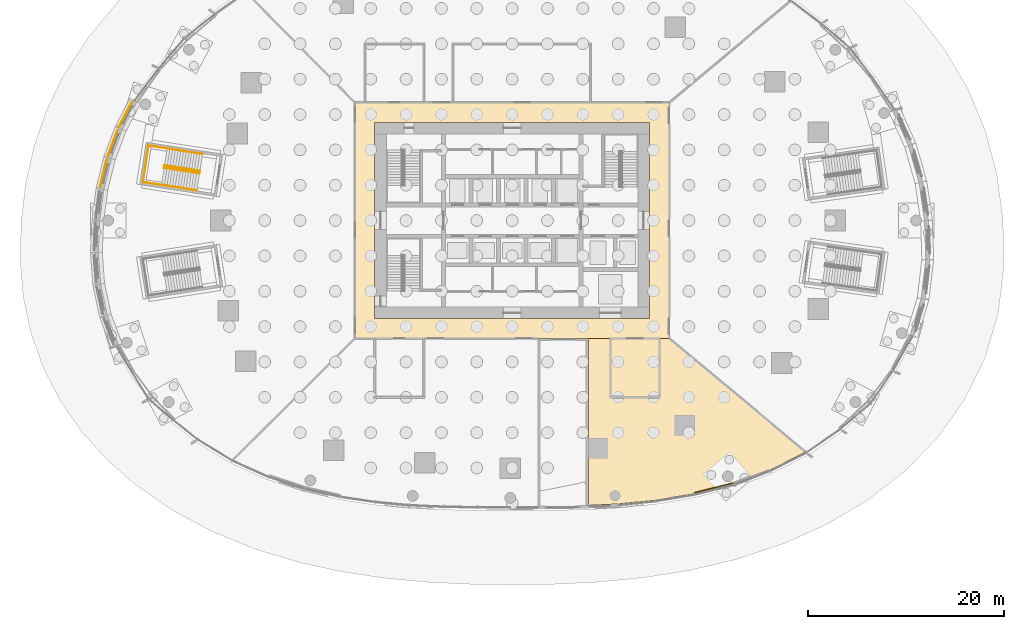
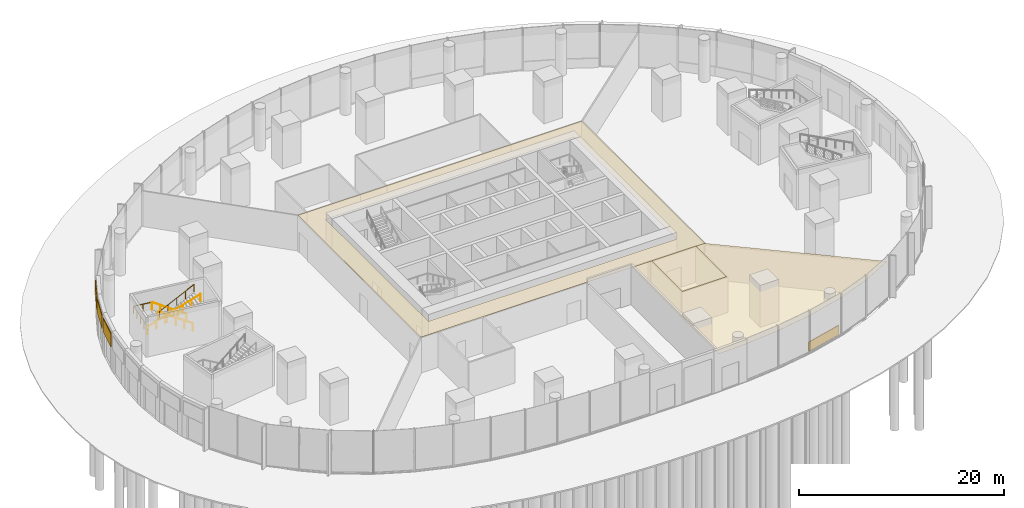
# One storey, part 25 of 29: 7 coverings, 5 railings.
"""IFC4 building model written with IfcOpenShell, lengths in metres."""

from ifc_helpers import new_model, si_unit, direction, frame, origin, origin_2d, place, context, subcontext, project, spatial, polyline, rectangle, circle, outline, extrude, material, layer, layer_set, type_object, element, save


model = new_model("IFC4")

# Units and contexts
model_context = context("Model", 3, precision=1e-05, world=origin(), true_north=direction((0.0, 1.0)))
body_context = subcontext(model_context, "Body", "Model", "MODEL_VIEW")
ifc_project = project(units=[si_unit("LENGTHUNIT", "METRE"), si_unit("AREAUNIT", "SQUARE_METRE"), si_unit("VOLUMEUNIT", "CUBIC_METRE"), si_unit("PLANEANGLEUNIT", "RADIAN"), si_unit("MASSUNIT", "GRAM", prefix="KILO")], contexts=[model_context])

# Site, building, storey
site_placement = place(None, origin())
site = spatial("IfcSite", under=ifc_project, at=site_placement, CompositionType="ELEMENT")
building_placement = place(site_placement, origin())
building = spatial("IfcBuilding", under=site, at=building_placement, Name="Ghaith Harvest Tower", CompositionType="ELEMENT")
storey_placement = place(building_placement, origin())
storey = spatial("IfcBuildingStorey", under=building, at=storey_placement, Name="L00", CompositionType="ELEMENT", Elevation=0.0)

# Coverings
ifc_material_1 = material(Name="Mineral fibre ceiling tile", Category="gypsum")
ifc_layer_1 = layer(ifc_material_1, 0.014892578125)
ifc_layer_set_1 = layer_set([ifc_layer_1], Name="CEILING C3")
covering_type_1 = type_object("IfcCoveringType", Name="CEILING C3", PredefinedType="CEILING", material=ifc_layer_set_1)
covering_1_placement = place(storey_placement, frame((0.0, 0.0, 4.199951171875)))
element("IfcCovering", 1, at=covering_1_placement, inside=storey, type_object=covering_type_1, Name="Ceiling L00-04", PredefinedType="CEILING", context=body_context, shape_type="SweptSolid", body=[
    extrude(outline(polyline([(10.0, -18.0), (15.0, -18.0), (15.0, -12.0), (10.0, -12.0), (10.0, -18.0)])), origin(), (0.0, 0.0, 1.0), 0.01513671875),
])
covering_2_placement = place(storey_placement, frame((0.0, 0.0, 4.199951171875)))
element("IfcCovering", 2, at=covering_2_placement, inside=storey, type_object=covering_type_1, Name="Ceiling L00-C1", PredefinedType="CEILING", context=body_context, shape_type="SweptSolid", body=[
    extrude(outline(polyline([(16.0, -12.0), (-16.0, -12.0), (-16.0, 12.0), (16.0, 12.0), (16.0, -12.0)]), holes=[polyline([(-14.0, 10.0), (-14.0, -10.0), (14.0, -10.0), (14.0, 10.0), (-14.0, 10.0)])]), origin(), (0.0, 0.0, 1.0), 0.01513671875),
])
covering_3_placement = place(storey_placement, frame((0.0, 0.0, 4.199951171875)))
element("IfcCovering", 3, at=covering_3_placement, inside=storey, type_object=covering_type_1, Name="Ceiling L00-S2", PredefinedType="CEILING", context=body_context, shape_type="SweptSolid", body=[
    extrude(outline(polyline([(7.755126953125, -29.00732421875), (7.755126953125, -12.0), (10.0, -12.0), (10.0, -18.0), (15.0, -18.0), (15.0, -12.0), (16.0, -12.0), (29.87744140625, -23.5693359375), (26.25244140625, -25.40869140625), (22.576904296875, -26.77294921875), (18.487060546875, -27.833251953125), (14.54638671875, -28.493408203125), (10.789794921875, -28.862548828125), (7.755126953125, -29.00732421875)])), origin(), (0.0, 0.0, 1.0), 0.01513671875),
])

# Railings
ifc_material_2 = material(Name="Steel, black powder-coated", Category="steel")
railing_type = type_object("IfcRailingType", Name="HANDRAIL HR1", PredefinedType="HANDRAIL", material=ifc_material_2)
railing_1_placement = place(storey_placement, frame((-31.802490234375, 5.04541015625, 0.178466796875)))
element("IfcRailing", 4, at=railing_1_placement, inside=storey, type_object=railing_type, Name="Handrail HR1 stair PS2 L00 flight 1 inner", PredefinedType="HANDRAIL", context=body_context, shape_type="SweptSolid", body=[
    extrude(circle(Radius=0.02392578125, at=origin_2d()), frame((0.0, 0.0, 0.8759765625), z_axis=(-0.833206754544, 0.12887730376, 0.537733339823), x_axis=(-0.152858516466, -0.988248083198, 0.0)), (0.0, 0.0, 1.0), 4.317138671875),
    extrude(circle(Radius=0.02099609375, at=origin_2d()), origin(), (0.0, 0.0, 1.0), 0.851806640625),
    extrude(circle(Radius=0.02099609375, at=origin_2d()), frame((-0.8994140625, 0.13916015625, 0.580322265625)), (0.0, 0.0, 1.0), 0.851806640625),
    extrude(circle(Radius=0.02099609375, at=origin_2d()), frame((-1.798583984375, 0.2783203125, 1.16064453125)), (0.0, 0.0, 1.0), 0.851806640625),
    extrude(circle(Radius=0.02099609375, at=origin_2d()), frame((-2.69775390625, 0.417236328125, 1.7412109375)), (0.0, 0.0, 1.0), 0.851806640625),
    extrude(circle(Radius=0.02099609375, at=origin_2d()), frame((-3.59716796875, 0.556396484375, 2.321533203125)), (0.0, 0.0, 1.0), 0.851806640625),
])
railing_2_placement = place(storey_placement, frame((-35.43798828125, 5.3544921875, 2.678466796875)))
element("IfcRailing", 5, at=railing_2_placement, inside=storey, type_object=railing_type, Name="Handrail HR1 stair PS2 L00 flight 2 inner", PredefinedType="HANDRAIL", context=body_context, shape_type="SweptSolid", body=[
    extrude(circle(Radius=0.02392578125, at=origin_2d()), frame((0.0, 0.0, 0.8759765625), z_axis=(0.833212825692, -0.128821692475, 0.537737258009), x_axis=(0.152793010032, 0.988258213265, 0.0)), (0.0, 0.0, 1.0), 4.317138671875),
    extrude(circle(Radius=0.02099609375, at=origin_2d()), origin(), (0.0, 0.0, 1.0), 0.851806640625),
    extrude(circle(Radius=0.02099609375, at=origin_2d()), frame((0.8994140625, -0.13916015625, 0.580322265625)), (0.0, 0.0, 1.0), 0.851806640625),
    extrude(circle(Radius=0.02099609375, at=origin_2d()), frame((1.798583984375, -0.278076171875, 1.16064453125)), (0.0, 0.0, 1.0), 0.851806640625),
    extrude(circle(Radius=0.02099609375, at=origin_2d()), frame((2.69775390625, -0.4169921875, 1.7412109375)), (0.0, 0.0, 1.0), 0.851806640625),
    extrude(circle(Radius=0.02099609375, at=origin_2d()), frame((3.59716796875, -0.55615234375, 2.321533203125)), (0.0, 0.0, 1.0), 0.851806640625),
])
railing_3_placement = place(storey_placement, frame((-31.534912109375, 6.77490234375, 0.178466796875)))
element("IfcRailing", 6, at=railing_3_placement, inside=storey, type_object=railing_type, Name="Handrail HR1 stair PS2 L00 wall side flight 1", PredefinedType="HANDRAIL", context=body_context, shape_type="SweptSolid", body=[
    extrude(circle(Radius=0.02392578125, at=origin_2d()), frame((0.0, 0.0, 0.8759765625), z_axis=(-0.8332301151, 0.128815622816, 0.53771192158), x_axis=(-0.152782882696, -0.988259778983, 0.0)), (0.0, 0.0, 1.0), 4.3173828125),
    extrude(circle(Radius=0.02099609375, at=origin_2d()), origin(), (0.0, 0.0, 1.0), 0.851806640625),
    extrude(circle(Radius=0.02099609375, at=origin_2d()), frame((-0.8994140625, 0.13916015625, 0.580322265625)), (0.0, 0.0, 1.0), 0.851806640625),
    extrude(circle(Radius=0.02099609375, at=origin_2d()), frame((-1.798828125, 0.278076171875, 1.16064453125)), (0.0, 0.0, 1.0), 0.851806640625),
    extrude(circle(Radius=0.02099609375, at=origin_2d()), frame((-2.697998046875, 0.4169921875, 1.7412109375)), (0.0, 0.0, 1.0), 0.851806640625),
    extrude(circle(Radius=0.02099609375, at=origin_2d()), frame((-3.597412109375, 0.55615234375, 2.321533203125)), (0.0, 0.0, 1.0), 0.851806640625),
])
railing_4_placement = place(storey_placement, frame((-35.13232421875, 7.3310546875, 2.5)))
element("IfcRailing", 7, at=railing_4_placement, inside=storey, type_object=railing_type, Name="Handrail HR1 stair PS2 L00 wall side half landing", PredefinedType="HANDRAIL", context=body_context, shape_type="SweptSolid", body=[
    extrude(circle(Radius=0.02392578125, at=origin_2d()), frame((0.0, 0.0, 0.8759765625), z_axis=(-0.988244262548, 0.152883215368, 0.0), x_axis=(-0.152883215368, -0.988244262548, 0.0)), (0.0, 0.0, 1.0), 1.909912109375),
    extrude(circle(Radius=0.02392578125, at=origin_2d()), frame((-1.887451171875, 0.2919921875, 0.8759765625), z_axis=(-0.152869266423, -0.988246420375, 0.0), x_axis=(0.988246420375, -0.152869266423, 0.0)), (0.0, 0.0, 1.0), 3.75),
    extrude(circle(Radius=0.02099609375, at=origin_2d()), origin(), (0.0, 0.0, 1.0), 0.851806640625),
    extrude(circle(Radius=0.02099609375, at=origin_2d()), frame((-0.94384765625, 0.14599609375, 0.0)), (0.0, 0.0, 1.0), 0.851806640625),
    extrude(circle(Radius=0.02099609375, at=origin_2d()), frame((-1.887451171875, 0.2919921875, 0.0)), (0.0, 0.0, 1.0), 0.851806640625),
    extrude(circle(Radius=0.02099609375, at=origin_2d()), frame((-2.03076171875, -0.634521484375, 0.0)), (0.0, 0.0, 1.0), 0.851806640625),
    extrude(circle(Radius=0.02099609375, at=origin_2d()), frame((-2.174072265625, -1.56103515625, 0.0)), (0.0, 0.0, 1.0), 0.851806640625),
    extrude(circle(Radius=0.02099609375, at=origin_2d()), frame((-2.3173828125, -2.4873046875, 0.0)), (0.0, 0.0, 1.0), 0.851806640625),
    extrude(circle(Radius=0.02099609375, at=origin_2d()), frame((-2.460693359375, -3.413818359375, 0.0)), (0.0, 0.0, 1.0), 0.851806640625),
])
railing_5_placement = place(storey_placement, frame((-37.593017578125, 3.917236328125, 2.5)))
element("IfcRailing", 8, at=railing_5_placement, inside=storey, type_object=railing_type, Name="Handrail HR1 stair PS2 L00 wall side flight 2", PredefinedType="HANDRAIL", context=body_context, shape_type="SweptSolid", body=[
    extrude(circle(Radius=0.02392578125, at=origin_2d()), frame((0.0, 0.0, 0.8759765625), z_axis=(0.901054905206, -0.139373533143, 0.410700713492), x_axis=(0.152860370887, 0.988247796361, 0.0)), (0.0, 0.0, 1.0), 6.087158203125),
    extrude(circle(Radius=0.02099609375, at=origin_2d()), origin(), (0.0, 0.0, 1.0), 0.851806640625),
    extrude(circle(Radius=0.02099609375, at=origin_2d()), frame((0.9140625, -0.141357421875, 0.416748046875)), (0.0, 0.0, 1.0), 0.851806640625),
    extrude(circle(Radius=0.02099609375, at=origin_2d()), frame((1.828369140625, -0.28271484375, 0.833251953125)), (0.0, 0.0, 1.0), 0.851806640625),
    extrude(circle(Radius=0.02099609375, at=origin_2d()), frame((2.742431640625, -0.42431640625, 1.25)), (0.0, 0.0, 1.0), 0.851806640625),
    extrude(circle(Radius=0.02099609375, at=origin_2d()), frame((3.656494140625, -0.565673828125, 1.666748046875)), (0.0, 0.0, 1.0), 0.851806640625),
    extrude(circle(Radius=0.02099609375, at=origin_2d()), frame((4.57080078125, -0.70703125, 2.083251953125)), (0.0, 0.0, 1.0), 0.851806640625),
    extrude(circle(Radius=0.02099609375, at=origin_2d()), frame((5.48486328125, -0.848388671875, 2.5)), (0.0, 0.0, 1.0), 0.851806640625),
])

# Coverings
ifc_material_3 = material(Name="Glassfibre-reinforced concrete relief panel", Category="concrete")
ifc_layer_2 = layer(ifc_material_3, 0.080078125)
ifc_layer_set_2 = layer_set([ifc_layer_2], Name="RELIEF PANEL 2800x1600")
covering_type_2 = type_object("IfcCoveringType", Name="RELIEF PANEL 2800x1600", PredefinedType="CLADDING", material=ifc_layer_set_2)
for number, where, z_axis, x_axis, name in (
    (9, (-39.3701171875, 10.82080078125, 2.800048828125), (0.0, 0.0, 1.0), (-0.461401753534, -0.88719131073, 0.0), "Relief panel 10.1"),
    (10, (-40.67431640625, 7.888671875, 2.800048828125), (0.0, 0.0, 1.0), (-0.352182536477, -0.935931333486, 0.0), "Relief panel 10.2"),
    (11, (-41.626220703125, 4.80419921875, 2.800048828125), (0.0, 0.0, 1.0), (-0.238455424998, -0.971153443226, 0.0), "Relief panel 10.3"),
):
    element("IfcCovering", number, at=place(storey_placement, frame(where, z_axis=z_axis, x_axis=x_axis)), inside=storey, type_object=covering_type_2, Name=name, PredefinedType="CLADDING", context=body_context, shape_type="SweptSolid", body=[
        extrude(rectangle(XDim=2.800048828125, YDim=0.080078125, at=origin_2d()), origin(), (0.0, 0.0, 1.0), 1.60009765625),
    ])
ifc_material_4 = material(Name="Insulated aluminium spandrel panel on steel framing", Category="steel")
ifc_layer_3 = layer(ifc_material_4, 0.10009765625)
ifc_layer_set_3 = layer_set([ifc_layer_3], Name="SLAB EDGE UPSTAND 1100x100")
covering_type_3 = type_object("IfcCoveringType", Name="SLAB EDGE UPSTAND 1100x100", PredefinedType="CLADDING", material=ifc_layer_set_3)
covering_4_placement = place(storey_placement, frame((20.56787109375, -27.2421875, 0.0), z_axis=(0.0, 0.0, 1.0), x_axis=(0.967989439735, 0.250990925258, 0.0)))
element("IfcCovering", 12, at=covering_4_placement, inside=storey, type_object=covering_type_3, Name="Slab edge upstand 3 bay 17 L00", PredefinedType="CLADDING", context=body_context, shape_type="SweptSolid", body=[
    extrude(rectangle(XDim=4.125, YDim=0.10009765625, at=origin_2d()), origin(), (0.0, 0.0, 1.0), 1.10009765625),
])

save(model, "model.ifc")
